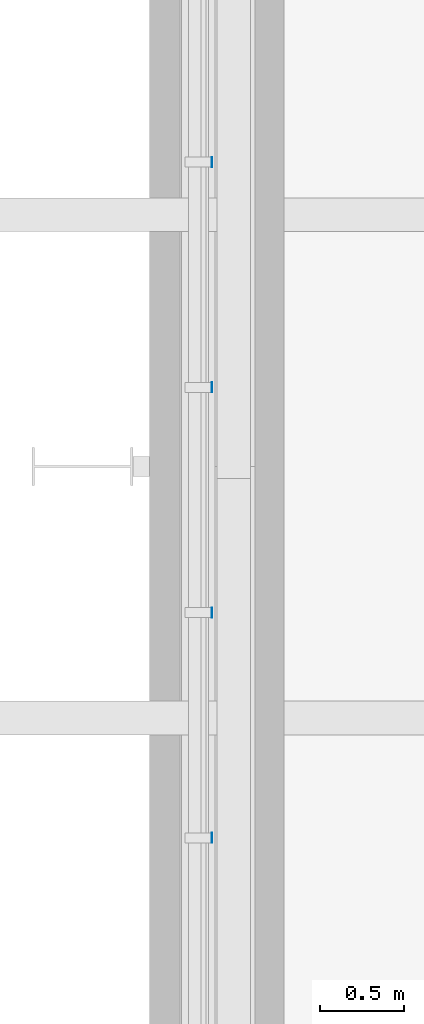
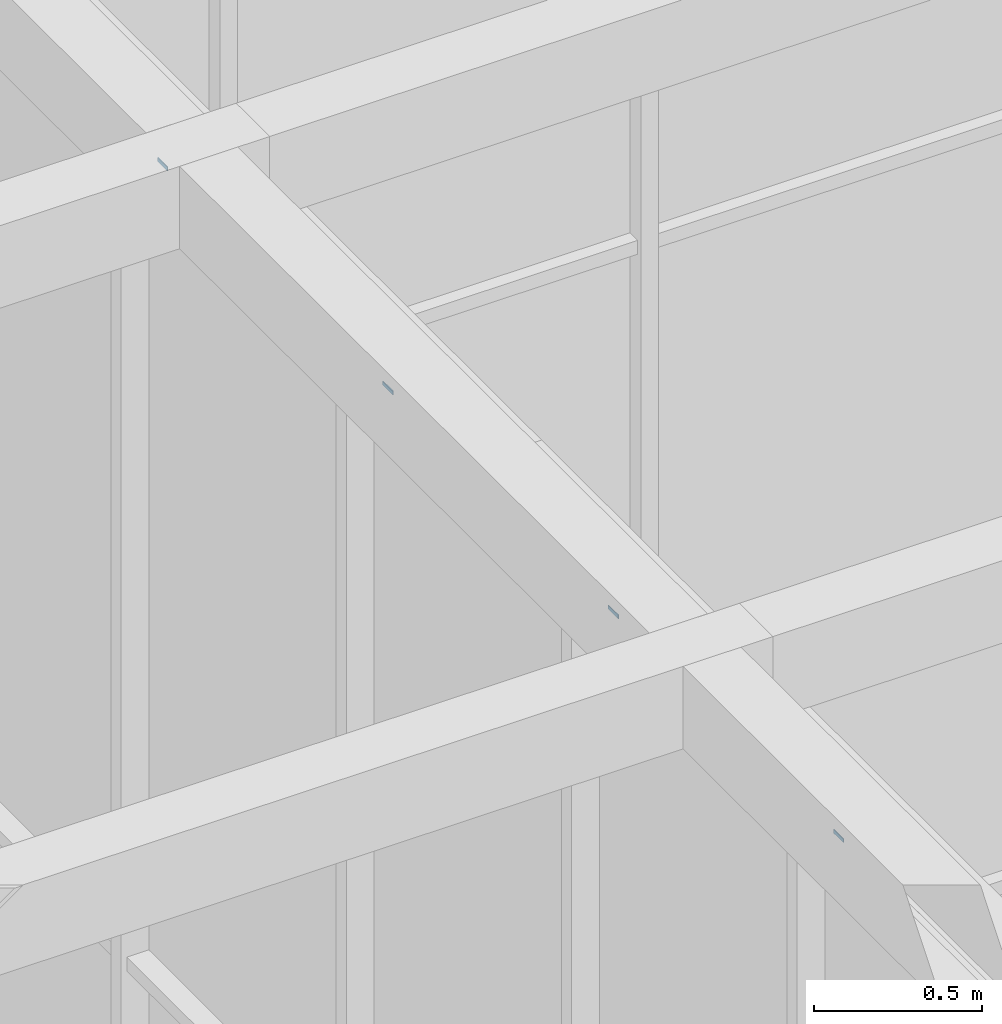
# One storey, part 620 of 646: 4 discrete accessories.
"""IFC4 building model written with IfcOpenShell, lengths in metres."""

from ifc_helpers import new_model, si_unit, direction, frame, origin, origin_2d, place, context, subcontext, project, spatial, rectangle, extrude, material, type_object, element, save


model = new_model("IFC4")

# Units and contexts
model_context = context("Model", 3, precision=1e-05, world=origin(), true_north=direction((0.0, 1.0)))
body_context = subcontext(model_context, "Body", "Model", "MODEL_VIEW")
ifc_project = project(units=[si_unit("LENGTHUNIT", "METRE"), si_unit("AREAUNIT", "SQUARE_METRE"), si_unit("VOLUMEUNIT", "CUBIC_METRE"), si_unit("PLANEANGLEUNIT", "RADIAN"), si_unit("MASSUNIT", "GRAM", prefix="KILO")], contexts=[model_context])

# Site, building, storey
site_placement = place(None, origin())
site = spatial("IfcSite", under=ifc_project, at=site_placement, CompositionType="ELEMENT")
building_placement = place(site_placement, origin())
building = spatial("IfcBuilding", under=site, at=building_placement, Name="Silverbay Arena", CompositionType="ELEMENT")
storey_placement = place(building_placement, frame((0.0, 0.0, 33.5)))
storey = spatial("IfcBuildingStorey", under=building, at=storey_placement, Name="L05", CompositionType="ELEMENT", Elevation=33.5)

# Discrete accessories
ifc_material = material(Name="Steel S355", Category="steel")
discrete_accessory_type = type_object("IfcDiscreteAccessoryType", Name="Steel bracket plate", PredefinedType="BRACKET", material=ifc_material)
for number, where, z_axis, x_axis, name in (
    (1, (53.871337890625, 137.28564453125, 12.98583984375), (0.0, 0.0, 1.0), (1.0, 0.0, 0.0), "Curtain wall packing plate"),
    (2, (53.871337890625, 138.628662109375, 12.98583984375), (0.0, 0.0, 1.0), (1.0, 0.0, 0.0), "Curtain wall packing plate"),
    (3, (53.871337890625, 139.971435546875, 12.98583984375), (0.0, 0.0, 1.0), (1.0, 0.0, 0.0), "Curtain wall packing plate"),
    (4, (53.871337890625, 141.314208984375, 12.98583984375), (0.0, 0.0, 1.0), (1.0, 0.0, 0.0), "Curtain wall packing plate"),
):
    element("IfcDiscreteAccessory", number, at=place(storey_placement, frame(where, z_axis=z_axis, x_axis=x_axis)), inside=storey, type_object=discrete_accessory_type, Name=name, PredefinedType="BRACKET", context=body_context, shape_type="SweptSolid", body=[
        extrude(rectangle(XDim=0.002685546875, YDim=0.06005859375, at=origin_2d()), origin(), (0.0, 0.0, 1.0), 0.01416015625),
    ])

save(model, "model.ifc")
